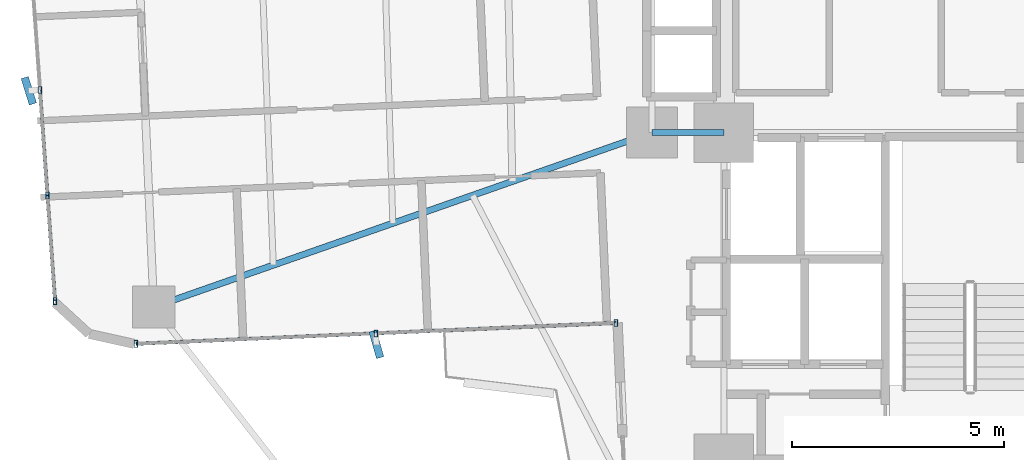
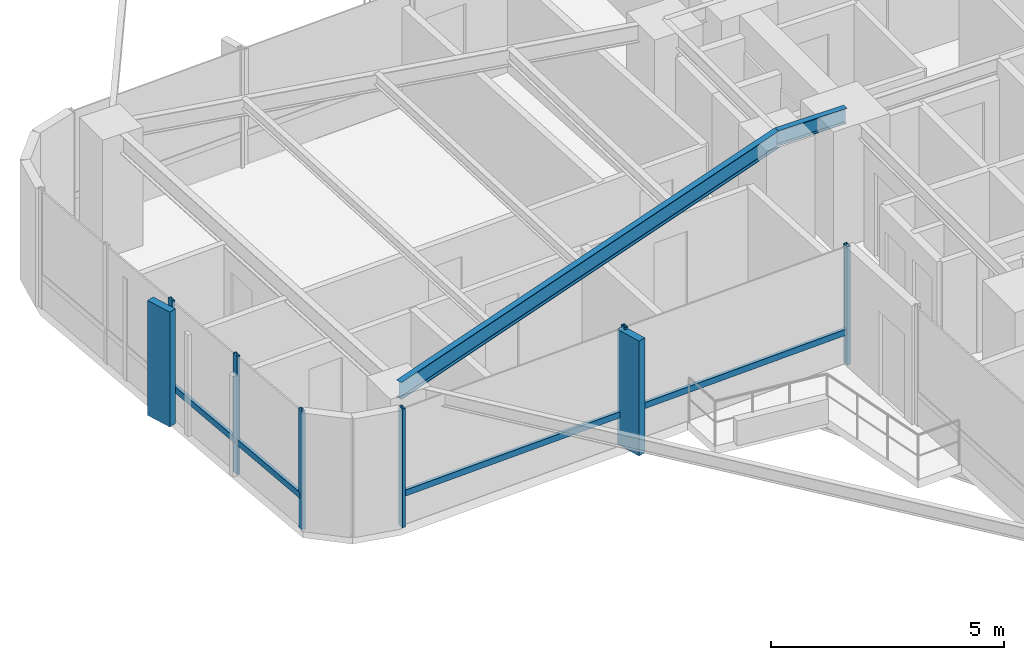
# One storey, part 8 of 27: 12 members, 2 beams, 2 elements without a shape of their own.
"""IFC4 building model written with IfcOpenShell, lengths in metres."""

from ifc_helpers import new_model, si_unit, direction, frame, origin, origin_2d, place, context, subcontext, project, spatial, rectangle, hollow_rectangle, i_section, extrude, source, transform, mapped, material, material_profile, profile_set, type_object, element, aggregate, save


model = new_model("IFC4")

# Units and contexts
model_context = context("Model", 3, precision=1e-05, world=origin(), true_north=direction((0.0, 1.0)))
body_context = subcontext(model_context, "Body", "Model", "MODEL_VIEW")
ifc_project = project(units=[si_unit("LENGTHUNIT", "METRE"), si_unit("AREAUNIT", "SQUARE_METRE"), si_unit("VOLUMEUNIT", "CUBIC_METRE"), si_unit("PLANEANGLEUNIT", "RADIAN"), si_unit("MASSUNIT", "GRAM", prefix="KILO")], contexts=[model_context])

# Site, building, storey
site_placement = place(None, origin())
site = spatial("IfcSite", under=ifc_project, at=site_placement, CompositionType="ELEMENT")
building_placement = place(site_placement, origin())
building = spatial("IfcBuilding", under=site, at=building_placement, Name="Sahyath Konkavel Grand Hotel", CompositionType="ELEMENT")
storey_placement = place(building_placement, frame((0.0, 0.0, 90.199951171875)))
storey = spatial("IfcBuildingStorey", under=building, at=storey_placement, Name="L24", CompositionType="ELEMENT", Elevation=90.199951171875)

# Beams
ifc_material_1 = material(Name="Steel E350", Category="steel")
ifc_material_profile_1 = material_profile(ifc_material_1, i_section(OverallWidth=0.139892578125, OverallDepth=0.39990234375, WebThickness=0.0087890625, FlangeThickness=0.01611328125, FilletRadius=0.013916015625, at=origin_2d()), Name="ISMB 400")
ifc_profile_set_1 = profile_set([ifc_material_profile_1], Name="Steel E350")
beam_type_1 = type_object("IfcBeamType", Name="BM-ISMB400", PredefinedType="BEAM", material=ifc_profile_set_1)
shared_shape_1 = source(origin(), body_context, "Body", "SweptSolid", [
    extrude(i_section(OverallWidth=0.139892578125, OverallDepth=0.39990234375, WebThickness=0.0087890625, FlangeThickness=0.01611328125, FilletRadius=0.013916015625, at=origin_2d()), origin(), (0.0, 0.0, 1.0), 1.699951171875),
])
beam_1_placement = place(storey_placement, frame((-5.5, -2.39990234375, 2.91015625), z_axis=(1.0, 0.0, 0.0), x_axis=(0.0, 1.0, 0.0)))
element("IfcBeam", 1, at=beam_1_placement, inside=storey, type_object=beam_type_1, Name="str:bm:L24:HB-SW", PredefinedType="BEAM", context=body_context, shape_type="MappedRepresentation", body=[
    mapped(shared_shape_1, transform((0.0, 0.0, 0.0), scale=1.0)),
])
ifc_material_profile_2 = material_profile(ifc_material_1, i_section(OverallWidth=0.14990234375, OverallDepth=0.449951171875, WebThickness=0.009521484375, FlangeThickness=0.017333984375, FilletRadius=0.014892578125, at=origin_2d()), Name="ISMB 450")
ifc_profile_set_2 = profile_set([ifc_material_profile_2], Name="Steel E350")
beam_type_2 = type_object("IfcBeamType", Name="BM-ISMB450", PredefinedType="BEAM", material=ifc_profile_set_2)
shared_shape_2 = source(origin(), body_context, "Body", "SweptSolid", [
    extrude(i_section(OverallWidth=0.14990234375, OverallDepth=0.449951171875, WebThickness=0.009521484375, FlangeThickness=0.017333984375, FilletRadius=0.014892578125, at=origin_2d()), origin(), (0.0, 0.0, 1.0), 12.430908203125),
])
beam_2_placement = place(storey_placement, frame((-5.5, -2.39990234375, 2.885009765625), z_axis=(-0.943819157235, -0.330462400941, 0.0), x_axis=(0.330462400941, -0.943819157235, 0.0)))
element("IfcBeam", 2, at=beam_2_placement, inside=storey, type_object=beam_type_2, Name="L24 Cruciform Radial Girder WB", PredefinedType="BEAM", context=body_context, shape_type="MappedRepresentation", body=[
    mapped(shared_shape_2, transform((0.0, 0.0, 0.0), scale=1.0)),
])

# Curtain wall, member
ifc_material_2 = material(Name="Anodised Bronze Aluminium & Low-E Glazing", Category="aluminium")
curtain_wall_type = type_object("IfcCurtainWallType", Name="CW-ZONE2", PredefinedType="NOTDEFINED", material=ifc_material_2)
curtain_wall_1_placement = place(storey_placement, origin())
curtain_wall_1 = element("IfcCurtainWall", 3, at=curtain_wall_1_placement, inside=storey, type_object=curtain_wall_type, Name="L24 Unitised Curtain Wall F20", PredefinedType="NOTDEFINED")
ifc_material_3 = material(Name="Warm Buff Sandstone Cladding on Concrete C50/60", Category="masonry")
ifc_material_profile_3 = material_profile(ifc_material_3, rectangle(XDim=0.179931640625, YDim=0.64990234375, at=origin_2d()), Name="FIN 180x650")
ifc_profile_set_3 = profile_set([ifc_material_profile_3], Name="Warm Buff Sandstone Cladding on Concrete C50/60")
member_type_1 = type_object("IfcMemberType", Name="FIN-SANDSTONE-650", PredefinedType="MULLION", material=ifc_profile_set_3)
shared_shape_3 = source(origin(), body_context, "Body", "SweptSolid", [
    extrude(rectangle(XDim=0.179931640625, YDim=0.64990234375, at=origin_2d()), origin(), (0.0, 0.0, 1.0), 3.010009765625),
])
member_1_placement = place(storey_placement, frame((-20.1767578125, -1.413818359375, 0.050048828125), z_axis=(0.0, 0.0, 1.0), x_axis=(0.955278362122, 0.295708050044, 0.0)))
member_1 = element("IfcMember", 4, at=member_1_placement, type_object=member_type_1, Name="L24 Sandstone Vertical Solar Fin FIN F20-2", PredefinedType="MULLION", context=body_context, shape_type="MappedRepresentation", body=[
    mapped(shared_shape_3, transform((0.0, 0.0, 0.0), scale=1.0)),
])

curtain_wall_2_placement = place(storey_placement, origin())
curtain_wall_2 = element("IfcCurtainWall", 5, at=curtain_wall_2_placement, inside=storey, type_object=curtain_wall_type, Name="L24 Unitised Curtain Wall F23", PredefinedType="NOTDEFINED")
member_2_placement = place(storey_placement, frame((-11.989013671875, -7.39013671875, 0.050048828125), z_axis=(0.0, 0.0, 1.0), x_axis=(0.961693479997, 0.274127070043, 0.0)))
member_2 = element("IfcMember", 6, at=member_2_placement, type_object=member_type_1, Name="L24 Sandstone Vertical Solar Fin FIN F23-1", PredefinedType="MULLION", context=body_context, shape_type="MappedRepresentation", body=[
    mapped(shared_shape_3, transform((0.0, 0.0, 0.0), scale=1.0)),
])

# Member
ifc_material_4 = material(Name="Anodised Bronze Aluminium", Category="aluminium")
ifc_material_profile_4 = material_profile(ifc_material_4, hollow_rectangle(XDim=0.080078125, YDim=0.159912109375, WallThickness=0.006103515625, at=origin_2d()), Name="RHS 160x80x6")
ifc_profile_set_4 = profile_set([ifc_material_profile_4], Name="Anodised Bronze Aluminium")
member_type_2 = type_object("IfcMemberType", Name="CW-MUL-160", PredefinedType="MULLION", material=ifc_profile_set_4)
shared_shape_4 = source(origin(), body_context, "Body", "SweptSolid", [
    extrude(hollow_rectangle(XDim=0.080078125, YDim=0.159912109375, WallThickness=0.006103515625, at=origin_2d()), origin(), (0.0, 0.0, 1.0), 3.110107421875),
])
member_3_placement = place(storey_placement, frame((-19.91748046875, -1.39501953125, 0.0), z_axis=(0.0, 0.0, 1.0), x_axis=(1.0, 0.0, 0.0)))
member_3 = element("IfcMember", 7, at=member_3_placement, type_object=member_type_2, Name="L24 Curtain Wall Mullion F20-2", PredefinedType="MULLION", context=body_context, shape_type="MappedRepresentation", body=[
    mapped(shared_shape_4, transform((0.0, 0.0, 0.0), scale=1.0)),
])

member_4_placement = place(storey_placement, frame((-19.739013671875, -3.882080078125, 0.0), z_axis=(0.0, 0.0, 1.0), x_axis=(1.0, 0.0, 0.0)))
member_4 = element("IfcMember", 8, at=member_4_placement, type_object=member_type_2, Name="L24 Curtain Wall Mullion F20-3", PredefinedType="MULLION", context=body_context, shape_type="MappedRepresentation", body=[
    mapped(shared_shape_4, transform((0.0, 0.0, 0.0), scale=1.0)),
])

member_5_placement = place(storey_placement, frame((-19.560546875, -6.369384765625, 0.0), z_axis=(0.0, 0.0, 1.0), x_axis=(1.0, 0.0, 0.0)))
member_5 = element("IfcMember", 9, at=member_5_placement, type_object=member_type_2, Name="L24 Curtain Wall Mullion F20-4", PredefinedType="MULLION", context=body_context, shape_type="MappedRepresentation", body=[
    mapped(shared_shape_4, transform((0.0, 0.0, 0.0), scale=1.0)),
])

member_6_placement = place(storey_placement, frame((-17.655029296875, -7.377197265625, 0.0), z_axis=(0.0, 0.0, 1.0), x_axis=(1.0, 0.0, 0.0)))
member_6 = element("IfcMember", 10, at=member_6_placement, type_object=member_type_2, Name="L24 Curtain Wall Mullion F23-0", PredefinedType="MULLION", context=body_context, shape_type="MappedRepresentation", body=[
    mapped(shared_shape_4, transform((0.0, 0.0, 0.0), scale=1.0)),
])

member_7_placement = place(storey_placement, frame((-12.00048828125, -7.13037109375, 0.0), z_axis=(0.0, 0.0, 1.0), x_axis=(1.0, 0.0, 0.0)))
member_7 = element("IfcMember", 11, at=member_7_placement, type_object=member_type_2, Name="L24 Curtain Wall Mullion F23-1", PredefinedType="MULLION", context=body_context, shape_type="MappedRepresentation", body=[
    mapped(shared_shape_4, transform((0.0, 0.0, 0.0), scale=1.0)),
])

member_8_placement = place(storey_placement, frame((-6.345703125, -6.88330078125, 0.0), z_axis=(0.0, 0.0, 1.0), x_axis=(1.0, 0.0, 0.0)))
member_8 = element("IfcMember", 12, at=member_8_placement, type_object=member_type_2, Name="L24 Curtain Wall Mullion F23-2", PredefinedType="MULLION", context=body_context, shape_type="MappedRepresentation", body=[
    mapped(shared_shape_4, transform((0.0, 0.0, 0.0), scale=1.0)),
])

ifc_material_profile_5 = material_profile(ifc_material_4, hollow_rectangle(XDim=0.080078125, YDim=0.159912109375, WallThickness=0.006103515625, at=origin_2d()), Name="RHS 160x80x6")
ifc_profile_set_5 = profile_set([ifc_material_profile_5], Name="Anodised Bronze Aluminium")
member_type_3 = type_object("IfcMemberType", Name="CW-TRN-160", PredefinedType="USERDEFINED", material=ifc_profile_set_5)
shared_shape_5 = source(origin(), body_context, "Body", "SweptSolid", [
    extrude(hollow_rectangle(XDim=0.080078125, YDim=0.159912109375, WallThickness=0.006103515625, at=origin_2d()), origin(), (0.0, 0.0, 1.0), 2.493408203125),
])
member_9_placement = place(storey_placement, frame((-19.91748046875, -1.39501953125, 0.85009765625), z_axis=(0.071574084062, -0.997435286367, 0.0), x_axis=(0.997435286367, 0.071574084062, 0.0)))
member_9 = element("IfcMember", 13, at=member_9_placement, type_object=member_type_3, Name="L24 Curtain Wall Transom F20-2-spandrel", ObjectType="TRANSOM", PredefinedType="USERDEFINED", context=body_context, shape_type="MappedRepresentation", body=[
    mapped(shared_shape_5, transform((0.0, 0.0, 0.0), scale=1.0)),
])

shared_shape_6 = source(origin(), body_context, "Body", "SweptSolid", [
    extrude(hollow_rectangle(XDim=0.080078125, YDim=0.159912109375, WallThickness=0.006103515625, at=origin_2d()), origin(), (0.0, 0.0, 1.0), 2.49365234375),
])
member_10_placement = place(storey_placement, frame((-19.739013671875, -3.882080078125, 0.85009765625), z_axis=(0.071567094714, -0.997435787885, 0.0), x_axis=(0.997435787885, 0.071567094714, 0.0)))
member_10 = element("IfcMember", 14, at=member_10_placement, type_object=member_type_3, Name="L24 Curtain Wall Transom F20-3-spandrel", ObjectType="TRANSOM", PredefinedType="USERDEFINED", context=body_context, shape_type="MappedRepresentation", body=[
    mapped(shared_shape_6, transform((0.0, 0.0, 0.0), scale=1.0)),
])

aggregate(curtain_wall_1, [member_3, member_1, member_4, member_5, member_9, member_10])

shared_shape_7 = source(origin(), body_context, "Body", "SweptSolid", [
    extrude(hollow_rectangle(XDim=0.080078125, YDim=0.159912109375, WallThickness=0.006103515625, at=origin_2d()), origin(), (0.0, 0.0, 1.0), 5.659912109375),
])
member_11_placement = place(storey_placement, frame((-17.655029296875, -7.377197265625, 0.85009765625), z_axis=(0.999048655935, 0.043609437898, 0.0), x_axis=(-0.043609437898, 0.999048655935, 0.0)))
member_11 = element("IfcMember", 15, at=member_11_placement, type_object=member_type_3, Name="L24 Curtain Wall Transom F23-0-spandrel", ObjectType="TRANSOM", PredefinedType="USERDEFINED", context=body_context, shape_type="MappedRepresentation", body=[
    mapped(shared_shape_7, transform((0.0, 0.0, 0.0), scale=1.0)),
])

shared_shape_8 = source(origin(), body_context, "Body", "SweptSolid", [
    extrude(hollow_rectangle(XDim=0.080078125, YDim=0.159912109375, WallThickness=0.006103515625, at=origin_2d()), origin(), (0.0, 0.0, 1.0), 5.66015625),
])
member_12_placement = place(storey_placement, frame((-12.00048828125, -7.13037109375, 0.85009765625), z_axis=(0.9990468579, 0.043650609628, 0.0), x_axis=(-0.043650609628, 0.9990468579, 0.0)))
member_12 = element("IfcMember", 16, at=member_12_placement, type_object=member_type_3, Name="L24 Curtain Wall Transom F23-1-spandrel", ObjectType="TRANSOM", PredefinedType="USERDEFINED", context=body_context, shape_type="MappedRepresentation", body=[
    mapped(shared_shape_8, transform((0.0, 0.0, 0.0), scale=1.0)),
])

aggregate(curtain_wall_2, [member_6, member_7, member_2, member_8, member_11, member_12])

save(model, "model.ifc")
